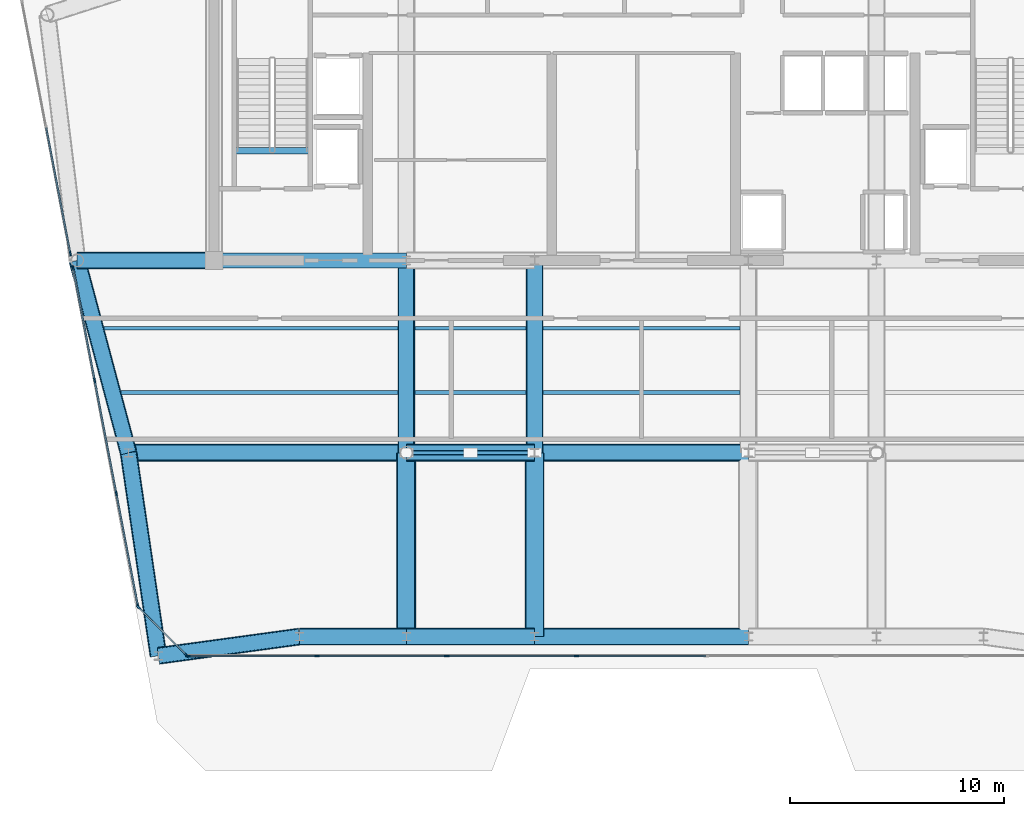
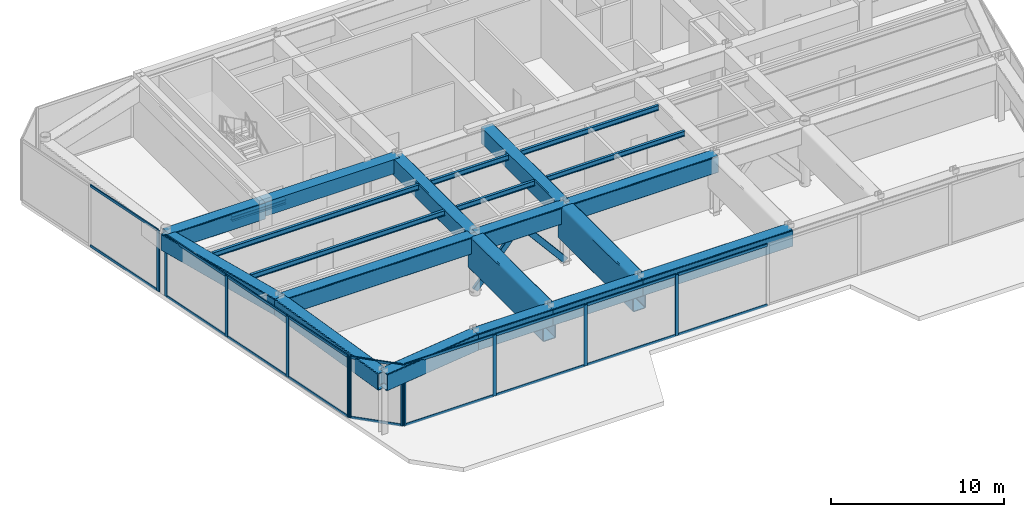
# One storey, part 3 of 14: 31 members, 22 beams, 4 elements without a shape of their own.
"""IFC4 building model written with IfcOpenShell, lengths in metres."""

from ifc_helpers import new_model, si_unit, direction, frame, origin, origin_2d, place, context, subcontext, project, spatial, rectangle, hollow_rectangle, i_section, extrude, source, transform, mapped, material, layer, layer_set, material_profile, profile_set, type_object, element, aggregate, save


model = new_model("IFC4")

# Units and contexts
model_context = context("Model", 3, precision=1e-05, world=origin(), true_north=direction((0.0, 1.0)))
body_context = subcontext(model_context, "Body", "Model", "MODEL_VIEW")
ifc_project = project(units=[si_unit("LENGTHUNIT", "METRE"), si_unit("AREAUNIT", "SQUARE_METRE"), si_unit("VOLUMEUNIT", "CUBIC_METRE"), si_unit("PLANEANGLEUNIT", "RADIAN"), si_unit("MASSUNIT", "GRAM", prefix="KILO")], contexts=[model_context])

# Site, building, storey
site_placement = place(None, origin())
site = spatial("IfcSite", under=ifc_project, at=site_placement, CompositionType="ELEMENT")
building_placement = place(site_placement, origin())
building = spatial("IfcBuilding", under=site, at=building_placement, Name="Vaeldorn Concourse Tower", CompositionType="ELEMENT")
storey_placement = place(building_placement, frame((0.0, 0.0, 303.800048828125)))
storey = spatial("IfcBuildingStorey", under=building, at=storey_placement, Name="L78", CompositionType="ELEMENT", Elevation=303.800048828125)

# Beams
ifc_material_1 = material(Name="Concrete C50/60", Category="concrete")
ifc_material_profile_1 = material_profile(ifc_material_1, rectangle(XDim=0.699951171875, YDim=1.0, at=origin_2d()), Name="RC 700x1000")
ifc_profile_set_1 = profile_set([ifc_material_profile_1], Name="Concrete C50/60")
beam_type_1 = type_object("IfcBeamType", Name="BM-CB-RC700", PredefinedType="BEAM", material=ifc_profile_set_1)
shared_shape_1 = source(origin(), body_context, "Body", "SweptSolid", [
    extrude(rectangle(XDim=0.699951171875, YDim=1.0, at=origin_2d()), origin(), (0.0, 0.0, 1.0), 9.0),
])
beam_1_placement = place(storey_placement, frame((14.0, 36.5, 3.800048828125), z_axis=(1.0, 0.0, 0.0), x_axis=(0.0, 1.0, 0.0)))
element("IfcBeam", 1, at=beam_1_placement, inside=storey, type_object=beam_type_1, Name="Core Coupling Beam L78-1", PredefinedType="BEAM", context=body_context, shape_type="MappedRepresentation", body=[
    mapped(shared_shape_1, transform((0.0, 0.0, 0.0), scale=1.0)),
])
ifc_material_2 = material(Name="Steel S355", Category="steel")
ifc_material_profile_2 = material_profile(ifc_material_2, i_section(OverallWidth=0.300048828125, OverallDepth=0.340087890625, WebThickness=0.011962890625, FlangeThickness=0.021484375, FilletRadius=0.027099609375, at=origin_2d()), Name="HEB 340")
ifc_profile_set_2 = profile_set([ifc_material_profile_2], Name="Steel S355")
beam_type_2 = type_object("IfcBeamType", Name="BM-ST-TRIM", PredefinedType="BEAM", material=ifc_profile_set_2)
shared_shape_2 = source(origin(), body_context, "Body", "SweptSolid", [
    extrude(i_section(OverallWidth=0.300048828125, OverallDepth=0.340087890625, WebThickness=0.011962890625, FlangeThickness=0.021484375, FilletRadius=0.027099609375, at=origin_2d()), origin(), (0.0, 0.0, 1.0), 3.590087890625),
])
beam_2_placement = place(storey_placement, frame((14.929931640625, 41.639892578125, -0.469970703125), z_axis=(1.0, 0.0, 0.0), x_axis=(0.0, 1.0, 0.0)))
element("IfcBeam", 2, at=beam_2_placement, inside=storey, type_object=beam_type_2, Name="Stair Landing Trimmer Beam ST-1 L78", PredefinedType="BEAM", context=body_context, shape_type="MappedRepresentation", body=[
    mapped(shared_shape_2, transform((0.0, 0.0, 0.0), scale=1.0)),
])
ifc_material_3 = material(Name="Steel S460", Category="steel")
ifc_material_profile_3 = material_profile(ifc_material_3, hollow_rectangle(XDim=0.800048828125, YDim=1.199951171875, WallThickness=0.044921875, InnerFilletRadius=0.044921875, OuterFilletRadius=0.090087890625, at=origin_2d()), Name="RHS 1200x800x45")
ifc_profile_set_3 = profile_set([ifc_material_profile_3], Name="Steel S460")
beam_type_3 = type_object("IfcBeamType", Name="BM-TG-RHS1200", PredefinedType="BEAM", material=ifc_profile_set_3)
shared_shape_3 = source(origin(), body_context, "Body", "SweptSolid", [
    extrude(hollow_rectangle(XDim=0.800048828125, YDim=1.199951171875, WallThickness=0.044921875, InnerFilletRadius=0.044921875, OuterFilletRadius=0.090087890625, at=origin_2d()), origin(), (0.0, 0.0, 1.0), 6.0),
])
for number, where, z_axis, x_axis, name in (
    (3, (23.0, 27.5, 3.699951171875), (1.0, 0.0, 0.0), (0.0, 1.0, 0.0), "Beam BM-L78-C-TW1-C-TW2"),
    (4, (23.0, 18.89990234375, 3.699951171875), (1.0, 0.0, 0.0), (0.0, 1.0, 0.0), "Beam BM-L78-C-SF2-C-SF3"),
):
    element("IfcBeam", number, at=place(storey_placement, frame(where, z_axis=z_axis, x_axis=x_axis)), inside=storey, type_object=beam_type_3, Name=name, PredefinedType="BEAM", context=body_context, shape_type="MappedRepresentation", body=[
        mapped(shared_shape_3, transform((0.0, 0.0, 0.0), scale=1.0)),
    ])
shared_shape_4 = source(origin(), body_context, "Body", "SweptSolid", [
    extrude(hollow_rectangle(XDim=0.800048828125, YDim=1.199951171875, WallThickness=0.044921875, InnerFilletRadius=0.044921875, OuterFilletRadius=0.090087890625, at=origin_2d()), origin(), (0.0, 0.0, 1.0), 10.0),
])
for number, where, z_axis, x_axis, name in (
    (5, (29.0, 27.5, 3.699951171875), (1.0, 0.0, 0.0), (0.0, 1.0, 0.0), "Beam BM-L78-C-TW2-C-TW3"),
    (6, (29.0, 18.89990234375, 3.699951171875), (1.0, 0.0, 0.0), (0.0, 1.0, 0.0), "Beam BM-L78-C-SF3-C-SF4"),
):
    element("IfcBeam", number, at=place(storey_placement, frame(where, z_axis=z_axis, x_axis=x_axis)), inside=storey, type_object=beam_type_3, Name=name, PredefinedType="BEAM", context=body_context, shape_type="MappedRepresentation", body=[
        mapped(shared_shape_4, transform((0.0, 0.0, 0.0), scale=1.0)),
    ])
shared_shape_5 = source(origin(), body_context, "Body", "SweptSolid", [
    extrude(hollow_rectangle(XDim=0.800048828125, YDim=1.199951171875, WallThickness=0.044921875, InnerFilletRadius=0.044921875, OuterFilletRadius=0.090087890625, at=origin_2d()), origin(), (0.0, 0.0, 1.0), 9.0),
])
for number, where, z_axis, x_axis, name in (
    (7, (23.0, 27.5, 3.699951171875), (0.0, 1.0, 0.0), (-1.0, 0.0, 0.0), "Beam BM-L78-C-TW1-C-FC2"),
    (8, (29.0, 27.5, 3.699951171875), (0.0, 1.0, 0.0), (-1.0, 0.0, 0.0), "Beam BM-L78-C-TW2-C-FC3"),
):
    element("IfcBeam", number, at=place(storey_placement, frame(where, z_axis=z_axis, x_axis=x_axis)), inside=storey, type_object=beam_type_3, Name=name, PredefinedType="BEAM", context=body_context, shape_type="MappedRepresentation", body=[
        mapped(shared_shape_5, transform((0.0, 0.0, 0.0), scale=1.0)),
    ])
shared_shape_6 = source(origin(), body_context, "Body", "SweptSolid", [
    extrude(hollow_rectangle(XDim=0.800048828125, YDim=1.199951171875, WallThickness=0.044921875, InnerFilletRadius=0.044921875, OuterFilletRadius=0.090087890625, at=origin_2d()), origin(), (0.0, 0.0, 1.0), 13.0),
])
beam_3_placement = place(storey_placement, frame((10.0, 27.5, 3.699951171875), z_axis=(1.0, 0.0, 0.0), x_axis=(0.0, 1.0, 0.0)))
element("IfcBeam", 9, at=beam_3_placement, inside=storey, type_object=beam_type_3, Name="Beam BM-L78-C-FLW1-C-TW1", PredefinedType="BEAM", context=body_context, shape_type="MappedRepresentation", body=[
    mapped(shared_shape_6, transform((0.0, 0.0, 0.0), scale=1.0)),
])
shared_shape_7 = source(origin(), body_context, "Body", "SweptSolid", [
    extrude(hollow_rectangle(XDim=0.800048828125, YDim=1.199951171875, WallThickness=0.044921875, InnerFilletRadius=0.044921875, OuterFilletRadius=0.090087890625, at=origin_2d()), origin(), (0.0, 0.0, 1.0), 5.0),
])
beam_4_placement = place(storey_placement, frame((18.0, 18.89990234375, 3.699951171875), z_axis=(1.0, 0.0, 0.0), x_axis=(0.0, 1.0, 0.0)))
element("IfcBeam", 10, at=beam_4_placement, inside=storey, type_object=beam_type_3, Name="Beam BM-L78-C-SF1-C-SF2", PredefinedType="BEAM", context=body_context, shape_type="MappedRepresentation", body=[
    mapped(shared_shape_7, transform((0.0, 0.0, 0.0), scale=1.0)),
])
shared_shape_8 = source(origin(), body_context, "Body", "SweptSolid", [
    extrude(hollow_rectangle(XDim=0.800048828125, YDim=1.199951171875, WallThickness=0.044921875, InnerFilletRadius=0.044921875, OuterFilletRadius=0.090087890625, at=origin_2d()), origin(), (0.0, 0.0, 1.0), 6.39990234375),
])
beam_5_placement = place(storey_placement, frame((7.60009765625, 36.5, 3.699951171875), z_axis=(1.0, 0.0, 0.0), x_axis=(0.0, 1.0, 0.0)))
element("IfcBeam", 11, at=beam_5_placement, inside=storey, type_object=beam_type_3, Name="Beam BM-L78-C-NW2-C-FC1", PredefinedType="BEAM", context=body_context, shape_type="MappedRepresentation", body=[
    mapped(shared_shape_8, transform((0.0, 0.0, 0.0), scale=1.0)),
])
shared_shape_9 = source(origin(), body_context, "Body", "SweptSolid", [
    extrude(hollow_rectangle(XDim=0.800048828125, YDim=1.199951171875, WallThickness=0.044921875, InnerFilletRadius=0.044921875, OuterFilletRadius=0.090087890625, at=origin_2d()), origin(), (0.0, 0.0, 1.0), 9.314453125),
])
beam_6_placement = place(storey_placement, frame((7.60009765625, 36.5, 3.699951171875), z_axis=(0.257652862255, -0.966237549763, 0.0), x_axis=(0.966237549763, 0.257652862255, 0.0)))
element("IfcBeam", 12, at=beam_6_placement, inside=storey, type_object=beam_type_3, Name="Beam BM-L78-C-NW2-C-FLW1", PredefinedType="BEAM", context=body_context, shape_type="MappedRepresentation", body=[
    mapped(shared_shape_9, transform((0.0, 0.0, 0.0), scale=1.0)),
])
shared_shape_10 = source(origin(), body_context, "Body", "SweptSolid", [
    extrude(hollow_rectangle(XDim=0.800048828125, YDim=1.199951171875, WallThickness=0.044921875, InnerFilletRadius=0.044921875, OuterFilletRadius=0.090087890625, at=origin_2d()), origin(), (0.0, 0.0, 1.0), 9.6025390625),
])
beam_7_placement = place(storey_placement, frame((10.0, 27.5, 3.699951171875), z_axis=(0.145783835977, -0.989316467652, 0.0), x_axis=(0.989316467652, 0.145783835977, 0.0)))
element("IfcBeam", 13, at=beam_7_placement, inside=storey, type_object=beam_type_3, Name="Beam BM-L78-C-FLW1-C-FLW2", PredefinedType="BEAM", context=body_context, shape_type="MappedRepresentation", body=[
    mapped(shared_shape_10, transform((0.0, 0.0, 0.0), scale=1.0)),
])
ifc_material_profile_4 = material_profile(ifc_material_2, i_section(OverallWidth=0.169921875, OverallDepth=0.360107421875, WebThickness=0.008056640625, FlangeThickness=0.0126953125, FilletRadius=0.01806640625, at=origin_2d()), Name="IPE 360")
ifc_profile_set_4 = profile_set([ifc_material_profile_4], Name="Steel S355")
beam_type_4 = type_object("IfcBeamType", Name="BM-JS-IPE360", PredefinedType="JOIST", material=ifc_profile_set_4)
shared_shape_11 = source(origin(), body_context, "Body", "SweptSolid", [
    extrude(i_section(OverallWidth=0.169921875, OverallDepth=0.360107421875, WebThickness=0.008056640625, FlangeThickness=0.0126953125, FilletRadius=0.01806640625, at=origin_2d()), origin(), (0.0, 0.0, 1.0), 5.2001953125),
])
for number, where, z_axis, x_axis, name in (
    (14, (23.39990234375, 30.320068359375, 4.119873046875), (1.0, 0.0, 0.0), (0.0, 1.0, 0.0), "Beam JS-L78-W2-303"),
    (15, (23.39990234375, 33.320068359375, 4.119873046875), (1.0, 0.0, 0.0), (0.0, 1.0, 0.0), "Beam JS-L78-W2-333"),
):
    element("IfcBeam", number, at=place(storey_placement, frame(where, z_axis=z_axis, x_axis=x_axis)), inside=storey, type_object=beam_type_4, Name=name, PredefinedType="JOIST", context=body_context, shape_type="MappedRepresentation", body=[
        mapped(shared_shape_11, transform((0.0, 0.0, 0.0), scale=1.0)),
    ])
shared_shape_12 = source(origin(), body_context, "Body", "SweptSolid", [
    extrude(i_section(OverallWidth=0.169921875, OverallDepth=0.360107421875, WebThickness=0.008056640625, FlangeThickness=0.0126953125, FilletRadius=0.01806640625, at=origin_2d()), origin(), (0.0, 0.0, 1.0), 9.2001953125),
])
for number, where, z_axis, x_axis, name in (
    (16, (29.39990234375, 30.320068359375, 4.119873046875), (1.0, 0.0, 0.0), (0.0, 1.0, 0.0), "Beam JS-L78-C-303"),
    (17, (29.39990234375, 33.320068359375, 4.119873046875), (1.0, 0.0, 0.0), (0.0, 1.0, 0.0), "Beam JS-L78-C-333"),
):
    element("IfcBeam", number, at=place(storey_placement, frame(where, z_axis=z_axis, x_axis=x_axis)), inside=storey, type_object=beam_type_4, Name=name, PredefinedType="JOIST", context=body_context, shape_type="MappedRepresentation", body=[
        mapped(shared_shape_12, transform((0.0, 0.0, 0.0), scale=1.0)),
    ])
shared_shape_13 = source(origin(), body_context, "Body", "SweptSolid", [
    extrude(i_section(OverallWidth=0.169921875, OverallDepth=0.360107421875, WebThickness=0.008056640625, FlangeThickness=0.0126953125, FilletRadius=0.01806640625, at=origin_2d()), origin(), (0.0, 0.0, 1.0), 12.9521484375),
])
beam_8_placement = place(storey_placement, frame((9.64794921875, 30.320068359375, 4.119873046875), z_axis=(1.0, 0.0, 0.0), x_axis=(0.0, 1.0, 0.0)))
element("IfcBeam", 18, at=beam_8_placement, inside=storey, type_object=beam_type_4, Name="Beam JS-L78-W1-303", PredefinedType="JOIST", context=body_context, shape_type="MappedRepresentation", body=[
    mapped(shared_shape_13, transform((0.0, 0.0, 0.0), scale=1.0)),
])
shared_shape_14 = source(origin(), body_context, "Body", "SweptSolid", [
    extrude(i_section(OverallWidth=0.169921875, OverallDepth=0.360107421875, WebThickness=0.008056640625, FlangeThickness=0.0126953125, FilletRadius=0.01806640625, at=origin_2d()), origin(), (0.0, 0.0, 1.0), 13.752197265625),
])
beam_9_placement = place(storey_placement, frame((8.847900390625, 33.320068359375, 4.119873046875), z_axis=(1.0, 0.0, 0.0), x_axis=(0.0, 1.0, 0.0)))
element("IfcBeam", 19, at=beam_9_placement, inside=storey, type_object=beam_type_4, Name="Beam JS-L78-W1-333", PredefinedType="JOIST", context=body_context, shape_type="MappedRepresentation", body=[
    mapped(shared_shape_14, transform((0.0, 0.0, 0.0), scale=1.0)),
])
ifc_material_profile_5 = material_profile(ifc_material_3, hollow_rectangle(XDim=0.89990234375, YDim=2.39990234375, WallThickness=0.06005859375, InnerFilletRadius=0.06005859375, OuterFilletRadius=0.1201171875, at=origin_2d()), Name="RHS 2400x900x60")
ifc_profile_set_5 = profile_set([ifc_material_profile_5], Name="Steel S460")
beam_type_5 = type_object("IfcBeamType", Name="BM-TG-BOX2400", PredefinedType="BEAM", material=ifc_profile_set_5)
shared_shape_15 = source(origin(), body_context, "Body", "SweptSolid", [
    extrude(hollow_rectangle(XDim=0.89990234375, YDim=2.39990234375, WallThickness=0.06005859375, InnerFilletRadius=0.06005859375, OuterFilletRadius=0.1201171875, at=origin_2d()), origin(), (0.0, 0.0, 1.0), 8.60009765625),
])
for number, where, z_axis, x_axis, name in (
    (20, (23.0, 18.89990234375, 3.099853515625), (0.0, 1.0, 0.0), (-1.0, 0.0, 0.0), "Beam BM-SETBACK-L78-C-SF2"),
    (21, (29.0, 18.89990234375, 3.099853515625), (0.0, 1.0, 0.0), (-1.0, 0.0, 0.0), "Beam BM-SETBACK-L78-C-SF3"),
):
    element("IfcBeam", number, at=place(storey_placement, frame(where, z_axis=z_axis, x_axis=x_axis)), inside=storey, type_object=beam_type_5, Name=name, PredefinedType="BEAM", context=body_context, shape_type="MappedRepresentation", body=[
        mapped(shared_shape_15, transform((0.0, 0.0, 0.0), scale=1.0)),
    ])
shared_shape_16 = source(origin(), body_context, "Body", "SweptSolid", [
    extrude(hollow_rectangle(XDim=0.800048828125, YDim=1.199951171875, WallThickness=0.044921875, InnerFilletRadius=0.044921875, OuterFilletRadius=0.090087890625, at=origin_2d()), origin(), (0.0, 0.0, 1.0), 6.6611328125),
])
beam_10_placement = place(storey_placement, frame((18.0, 18.89990234375, 3.699951171875), z_axis=(-0.990832398214, -0.135096849146, 0.0), x_axis=(0.135096849146, -0.990832398214, 0.0)))
element("IfcBeam", 22, at=beam_10_placement, inside=storey, type_object=beam_type_3, Name="Beam BM-L78-C-SF1-C-FLW2", PredefinedType="BEAM", context=body_context, shape_type="MappedRepresentation", body=[
    mapped(shared_shape_16, transform((0.0, 0.0, 0.0), scale=1.0)),
])

# Members
ifc_material_profile_6 = material_profile(ifc_material_2, hollow_rectangle(XDim=0.199951171875, YDim=0.39990234375, WallThickness=0.01611328125, InnerFilletRadius=0.01611328125, OuterFilletRadius=0.031982421875, at=origin_2d()), Name="RHS 400x200x16")
ifc_profile_set_6 = profile_set([ifc_material_profile_6], Name="Steel S355")
member_type_1 = type_object("IfcMemberType", Name="MB-CRN-STRUT", PredefinedType="STRUT", material=ifc_profile_set_6)
shared_shape_17 = source(origin(), body_context, "Body", "SweptSolid", [
    extrude(hollow_rectangle(XDim=0.199951171875, YDim=0.39990234375, WallThickness=0.01611328125, InnerFilletRadius=0.01611328125, OuterFilletRadius=0.031982421875, at=origin_2d()), origin(), (0.0, 0.0, 1.0), 4.64794921875),
])
for number, where, z_axis, x_axis, name in (
    (23, (23.0, 27.5, 0.25), (0.645454693262, 0.0, 0.763798559141), (0.0, 1.0, 0.0), "Crown Frame Brace Strut L78-1A"),
    (24, (29.0, 27.5, 0.25), (-0.645454693262, 0.0, 0.763798559141), (0.0, -1.0, 0.0), "Crown Frame Brace Strut L78-1B"),
):
    element("IfcMember", number, at=place(storey_placement, frame(where, z_axis=z_axis, x_axis=x_axis)), inside=storey, type_object=member_type_1, Name=name, PredefinedType="STRUT", context=body_context, shape_type="MappedRepresentation", body=[
        mapped(shared_shape_17, transform((0.0, 0.0, 0.0), scale=1.0)),
    ])

# Curtain wall, members
ifc_material_4 = material(Name="Anodised Bronze Aluminium", Category="aluminium")
ifc_layer = layer(ifc_material_4, 0.22998046875)
ifc_layer_set = layer_set([ifc_layer], Name="Anodised Bronze Aluminium")
curtain_wall_type = type_object("IfcCurtainWallType", Name="CW-SYS-07", PredefinedType="NOTDEFINED", material=ifc_layer_set)
curtain_wall_1_placement = place(storey_placement, origin())
curtain_wall_1 = element("IfcCurtainWall", 25, at=curtain_wall_1_placement, inside=storey, type_object=curtain_wall_type, Name="Unitised Curtain Wall CW-L78-E08-1", PredefinedType="NOTDEFINED")
ifc_material_profile_7 = material_profile(ifc_material_4, rectangle(XDim=0.074951171875, YDim=0.179931640625, at=origin_2d()), Name="CWT 75x180")
ifc_profile_set_7 = profile_set([ifc_material_profile_7], Name="Anodised Bronze Aluminium")
member_type_2 = type_object("IfcMemberType", Name="CWT-BRONZE-180", PredefinedType="USERDEFINED", material=ifc_profile_set_7)
shared_shape_18 = source(origin(), body_context, "Body", "SweptSolid", [
    extrude(rectangle(XDim=0.074951171875, YDim=0.179931640625, at=origin_2d()), origin(), (0.0, 0.0, 1.0), 3.102783203125),
])
member_1_placement = place(storey_placement, frame((10.498046875, 20.2470703125, 0.037353515625), z_axis=(0.707067437368, -0.707146122816, 0.0), x_axis=(0.707146122816, 0.707067437368, 0.0)))
member_1 = element("IfcMember", 26, at=member_1_placement, type_object=member_type_2, Name="CW-07 transom 1.1", ObjectType="TRANSOM", PredefinedType="USERDEFINED", context=body_context, shape_type="MappedRepresentation", body=[
    mapped(shared_shape_18, transform((0.0, 0.0, 0.0), scale=1.0)),
])
member_2_placement = place(storey_placement, frame((10.498046875, 20.2470703125, 4.262451171875), z_axis=(0.707067437368, -0.707146122816, 0.0), x_axis=(0.707146122816, 0.707067437368, 0.0)))
member_2 = element("IfcMember", 27, at=member_2_placement, type_object=member_type_2, Name="CW-07 transom 1.2", ObjectType="TRANSOM", PredefinedType="USERDEFINED", context=body_context, shape_type="MappedRepresentation", body=[
    mapped(shared_shape_18, transform((0.0, 0.0, 0.0), scale=1.0)),
])

curtain_wall_2_placement = place(storey_placement, origin())
curtain_wall_2 = element("IfcCurtainWall", 28, at=curtain_wall_2_placement, inside=storey, type_object=curtain_wall_type, Name="Unitised Curtain Wall CW-L78-E01-1", PredefinedType="NOTDEFINED")
ifc_material_profile_8 = material_profile(ifc_material_4, rectangle(XDim=0.074951171875, YDim=0.219970703125, at=origin_2d()), Name="CWM 75x220")
ifc_profile_set_8 = profile_set([ifc_material_profile_8], Name="Anodised Bronze Aluminium")
member_type_3 = type_object("IfcMemberType", Name="CWM-BRONZE-220", PredefinedType="MULLION", material=ifc_profile_set_8)
shared_shape_19 = source(origin(), body_context, "Body", "SweptSolid", [
    extrude(rectangle(XDim=0.074951171875, YDim=0.219970703125, at=origin_2d()), origin(), (0.0, 0.0, 1.0), 4.300048828125),
])
member_3_placement = place(storey_placement, frame((12.782470703125, 18.0, 0.0), z_axis=(0.0, 0.0, 1.0), x_axis=(0.0, 1.0, 0.0)))
member_3 = element("IfcMember", 29, at=member_3_placement, type_object=member_type_3, Name="CW-07 mullion 1", PredefinedType="MULLION", context=body_context, shape_type="MappedRepresentation", body=[
    mapped(shared_shape_19, transform((0.0, 0.0, 0.0), scale=1.0)),
])
member_4_placement = place(storey_placement, frame((18.81787109375, 18.0, 0.0), z_axis=(0.0, 0.0, 1.0), x_axis=(0.0, 1.0, 0.0)))
member_4 = element("IfcMember", 30, at=member_4_placement, type_object=member_type_3, Name="CW-07 mullion 2", PredefinedType="MULLION", context=body_context, shape_type="MappedRepresentation", body=[
    mapped(shared_shape_19, transform((0.0, 0.0, 0.0), scale=1.0)),
])
member_5_placement = place(storey_placement, frame((24.890625, 18.0, 0.0), z_axis=(0.0, 0.0, 1.0), x_axis=(0.0, 1.0, 0.0)))
member_5 = element("IfcMember", 31, at=member_5_placement, type_object=member_type_3, Name="CW-07 mullion 3", PredefinedType="MULLION", context=body_context, shape_type="MappedRepresentation", body=[
    mapped(shared_shape_19, transform((0.0, 0.0, 0.0), scale=1.0)),
])
member_6_placement = place(storey_placement, frame((30.963623046875, 18.0, 0.0), z_axis=(0.0, 0.0, 1.0), x_axis=(0.0, 1.0, 0.0)))
member_6 = element("IfcMember", 32, at=member_6_placement, type_object=member_type_3, Name="CW-07 mullion 4", PredefinedType="MULLION", context=body_context, shape_type="MappedRepresentation", body=[
    mapped(shared_shape_19, transform((0.0, 0.0, 0.0), scale=1.0)),
])

# Curtain wall, member
curtain_wall_3_placement = place(storey_placement, origin())
curtain_wall_3 = element("IfcCurtainWall", 33, at=curtain_wall_3_placement, inside=storey, type_object=curtain_wall_type, Name="Unitised Curtain Wall CW-L78-E07-1", PredefinedType="NOTDEFINED")
member_7_placement = place(storey_placement, frame((7.27783203125, 36.81884765625, 0.0), z_axis=(0.0, 0.0, 1.0), x_axis=(0.982112384192, 0.188295684539, 0.0)))
member_7 = element("IfcMember", 34, at=member_7_placement, type_object=member_type_3, Name="CW-07 mullion 3", PredefinedType="MULLION", context=body_context, shape_type="MappedRepresentation", body=[
    mapped(shared_shape_19, transform((0.0, 0.0, 0.0), scale=1.0)),
])

# Curtain wall, members
curtain_wall_4_placement = place(storey_placement, origin())
curtain_wall_4 = element("IfcCurtainWall", 35, at=curtain_wall_4_placement, inside=storey, type_object=curtain_wall_type, Name="Unitised Curtain Wall CW-L78-E07-2", PredefinedType="NOTDEFINED")
member_8_placement = place(storey_placement, frame((7.406494140625, 36.148193359375, 0.0), z_axis=(0.0, 0.0, 1.0), x_axis=(0.982111865805, 0.188298388323, 0.0)))
member_8 = element("IfcMember", 36, at=member_8_placement, type_object=member_type_3, Name="CW-07 mullion 1", PredefinedType="MULLION", context=body_context, shape_type="MappedRepresentation", body=[
    mapped(shared_shape_19, transform((0.0, 0.0, 0.0), scale=1.0)),
])
member_9_placement = place(storey_placement, frame((8.41455078125, 30.889892578125, 0.0), z_axis=(0.0, 0.0, 1.0), x_axis=(0.982111865805, 0.188298388323, 0.0)))
member_9 = element("IfcMember", 37, at=member_9_placement, type_object=member_type_3, Name="CW-07 mullion 2", PredefinedType="MULLION", context=body_context, shape_type="MappedRepresentation", body=[
    mapped(shared_shape_19, transform((0.0, 0.0, 0.0), scale=1.0)),
])
member_10_placement = place(storey_placement, frame((9.4296875, 25.594970703125, 0.0), z_axis=(0.0, 0.0, 1.0), x_axis=(0.982111865805, 0.188298388323, 0.0)))
member_10 = element("IfcMember", 38, at=member_10_placement, type_object=member_type_3, Name="CW-07 mullion 3", PredefinedType="MULLION", context=body_context, shape_type="MappedRepresentation", body=[
    mapped(shared_shape_19, transform((0.0, 0.0, 0.0), scale=1.0)),
])
member_11_placement = place(storey_placement, frame((10.43798828125, 20.3369140625, 0.0), z_axis=(0.0, 0.0, 1.0), x_axis=(0.982111865805, 0.188298388323, 0.0)))
member_11 = element("IfcMember", 39, at=member_11_placement, type_object=member_type_3, Name="CW-07 mullion 4", PredefinedType="MULLION", context=body_context, shape_type="MappedRepresentation", body=[
    mapped(shared_shape_19, transform((0.0, 0.0, 0.0), scale=1.0)),
])

# Member
member_12_placement = place(storey_placement, frame((10.471435546875, 20.2734375, 0.0), z_axis=(0.0, 0.0, 1.0), x_axis=(0.707106781187, 0.707106781187, 0.0)))
member_12 = element("IfcMember", 40, at=member_12_placement, type_object=member_type_3, Name="CW-07 mullion 1", PredefinedType="MULLION", context=body_context, shape_type="MappedRepresentation", body=[
    mapped(shared_shape_19, transform((0.0, 0.0, 0.0), scale=1.0)),
])

member_13_placement = place(storey_placement, frame((12.718505859375, 18.026611328125, 0.0), z_axis=(0.0, 0.0, 1.0), x_axis=(0.707106781187, 0.707106781187, 0.0)))
member_13 = element("IfcMember", 41, at=member_13_placement, type_object=member_type_3, Name="CW-07 mullion 2", PredefinedType="MULLION", context=body_context, shape_type="MappedRepresentation", body=[
    mapped(shared_shape_19, transform((0.0, 0.0, 0.0), scale=1.0)),
])

aggregate(curtain_wall_1, [member_12, member_13, member_1, member_2])

shared_shape_20 = source(origin(), body_context, "Body", "SweptSolid", [
    extrude(rectangle(XDim=0.074951171875, YDim=0.179931640625, at=origin_2d()), origin(), (0.0, 0.0, 1.0), 5.960205078125),
])
member_14_placement = place(storey_placement, frame((12.820068359375, 18.0, 0.037353515625), z_axis=(1.0, 0.0, 0.0), x_axis=(0.0, 1.0, 0.0)))
member_14 = element("IfcMember", 42, at=member_14_placement, type_object=member_type_2, Name="CW-07 transom 1.1", ObjectType="TRANSOM", PredefinedType="USERDEFINED", context=body_context, shape_type="MappedRepresentation", body=[
    mapped(shared_shape_20, transform((0.0, 0.0, 0.0), scale=1.0)),
])

member_15_placement = place(storey_placement, frame((12.820068359375, 18.0, 4.262451171875), z_axis=(1.0, 0.0, 0.0), x_axis=(0.0, 1.0, 0.0)))
member_15 = element("IfcMember", 43, at=member_15_placement, type_object=member_type_2, Name="CW-07 transom 1.2", ObjectType="TRANSOM", PredefinedType="USERDEFINED", context=body_context, shape_type="MappedRepresentation", body=[
    mapped(shared_shape_20, transform((0.0, 0.0, 0.0), scale=1.0)),
])

shared_shape_21 = source(origin(), body_context, "Body", "SweptSolid", [
    extrude(rectangle(XDim=0.074951171875, YDim=0.179931640625, at=origin_2d()), origin(), (0.0, 0.0, 1.0), 5.997802734375),
])
member_16_placement = place(storey_placement, frame((18.85546875, 18.0, 0.037353515625), z_axis=(1.0, 0.0, 0.0), x_axis=(0.0, 1.0, 0.0)))
member_16 = element("IfcMember", 44, at=member_16_placement, type_object=member_type_2, Name="CW-07 transom 2.1", ObjectType="TRANSOM", PredefinedType="USERDEFINED", context=body_context, shape_type="MappedRepresentation", body=[
    mapped(shared_shape_21, transform((0.0, 0.0, 0.0), scale=1.0)),
])

member_17_placement = place(storey_placement, frame((18.85546875, 18.0, 4.262451171875), z_axis=(1.0, 0.0, 0.0), x_axis=(0.0, 1.0, 0.0)))
member_17 = element("IfcMember", 45, at=member_17_placement, type_object=member_type_2, Name="CW-07 transom 2.2", ObjectType="TRANSOM", PredefinedType="USERDEFINED", context=body_context, shape_type="MappedRepresentation", body=[
    mapped(shared_shape_21, transform((0.0, 0.0, 0.0), scale=1.0)),
])

member_18_placement = place(storey_placement, frame((24.92822265625, 18.0, 0.037353515625), z_axis=(1.0, 0.0, 0.0), x_axis=(0.0, 1.0, 0.0)))
member_18 = element("IfcMember", 46, at=member_18_placement, type_object=member_type_2, Name="CW-07 transom 3.1", ObjectType="TRANSOM", PredefinedType="USERDEFINED", context=body_context, shape_type="MappedRepresentation", body=[
    mapped(shared_shape_21, transform((0.0, 0.0, 0.0), scale=1.0)),
])

member_19_placement = place(storey_placement, frame((24.92822265625, 18.0, 4.262451171875), z_axis=(1.0, 0.0, 0.0), x_axis=(0.0, 1.0, 0.0)))
member_19 = element("IfcMember", 47, at=member_19_placement, type_object=member_type_2, Name="CW-07 transom 3.2", ObjectType="TRANSOM", PredefinedType="USERDEFINED", context=body_context, shape_type="MappedRepresentation", body=[
    mapped(shared_shape_21, transform((0.0, 0.0, 0.0), scale=1.0)),
])

shared_shape_22 = source(origin(), body_context, "Body", "SweptSolid", [
    extrude(rectangle(XDim=0.074951171875, YDim=0.179931640625, at=origin_2d()), origin(), (0.0, 0.0, 1.0), 5.998046875),
])
member_20_placement = place(storey_placement, frame((31.0009765625, 18.0, 0.037353515625), z_axis=(1.0, 0.0, 0.0), x_axis=(0.0, 1.0, 0.0)))
member_20 = element("IfcMember", 48, at=member_20_placement, type_object=member_type_2, Name="CW-07 transom 4.1", ObjectType="TRANSOM", PredefinedType="USERDEFINED", context=body_context, shape_type="MappedRepresentation", body=[
    mapped(shared_shape_22, transform((0.0, 0.0, 0.0), scale=1.0)),
])

member_21_placement = place(storey_placement, frame((31.0009765625, 18.0, 4.262451171875), z_axis=(1.0, 0.0, 0.0), x_axis=(0.0, 1.0, 0.0)))
member_21 = element("IfcMember", 49, at=member_21_placement, type_object=member_type_2, Name="CW-07 transom 4.2", ObjectType="TRANSOM", PredefinedType="USERDEFINED", context=body_context, shape_type="MappedRepresentation", body=[
    mapped(shared_shape_22, transform((0.0, 0.0, 0.0), scale=1.0)),
])

aggregate(curtain_wall_2, [member_3, member_4, member_5, member_6, member_14, member_15, member_16, member_17, member_18, member_19, member_20, member_21])

shared_shape_23 = source(origin(), body_context, "Body", "SweptSolid", [
    extrude(rectangle(XDim=0.074951171875, YDim=0.179931640625, at=origin_2d()), origin(), (0.0, 0.0, 1.0), 5.27880859375),
])
member_22_placement = place(storey_placement, frame((9.436767578125, 25.55810546875, 0.037353515625), z_axis=(0.188327605618, -0.98210626358, 0.0), x_axis=(0.98210626358, 0.188327605618, 0.0)))
member_22 = element("IfcMember", 50, at=member_22_placement, type_object=member_type_2, Name="CW-07 transom 3.1", ObjectType="TRANSOM", PredefinedType="USERDEFINED", context=body_context, shape_type="MappedRepresentation", body=[
    mapped(shared_shape_23, transform((0.0, 0.0, 0.0), scale=1.0)),
])

member_23_placement = place(storey_placement, frame((9.436767578125, 25.55810546875, 4.262451171875), z_axis=(0.188327605618, -0.98210626358, 0.0), x_axis=(0.98210626358, 0.188327605618, 0.0)))
member_23 = element("IfcMember", 51, at=member_23_placement, type_object=member_type_2, Name="CW-07 transom 3.2", ObjectType="TRANSOM", PredefinedType="USERDEFINED", context=body_context, shape_type="MappedRepresentation", body=[
    mapped(shared_shape_23, transform((0.0, 0.0, 0.0), scale=1.0)),
])

shared_shape_24 = source(origin(), body_context, "Body", "SweptSolid", [
    extrude(rectangle(XDim=0.074951171875, YDim=0.179931640625, at=origin_2d()), origin(), (0.0, 0.0, 1.0), 5.316650390625),
])
member_24_placement = place(storey_placement, frame((8.421630859375, 30.853271484375, 0.037353515625), z_axis=(0.188321079128, -0.98210751507, 0.0), x_axis=(0.98210751507, 0.188321079128, 0.0)))
member_24 = element("IfcMember", 52, at=member_24_placement, type_object=member_type_2, Name="CW-07 transom 2.1", ObjectType="TRANSOM", PredefinedType="USERDEFINED", context=body_context, shape_type="MappedRepresentation", body=[
    mapped(shared_shape_24, transform((0.0, 0.0, 0.0), scale=1.0)),
])

member_25_placement = place(storey_placement, frame((8.421630859375, 30.853271484375, 4.262451171875), z_axis=(0.188321079128, -0.98210751507, 0.0), x_axis=(0.98210751507, 0.188321079128, 0.0)))
member_25 = element("IfcMember", 53, at=member_25_placement, type_object=member_type_2, Name="CW-07 transom 2.2", ObjectType="TRANSOM", PredefinedType="USERDEFINED", context=body_context, shape_type="MappedRepresentation", body=[
    mapped(shared_shape_24, transform((0.0, 0.0, 0.0), scale=1.0)),
])

shared_shape_25 = source(origin(), body_context, "Body", "SweptSolid", [
    extrude(rectangle(XDim=0.074951171875, YDim=0.179931640625, at=origin_2d()), origin(), (0.0, 0.0, 1.0), 5.279052734375),
])
member_26_placement = place(storey_placement, frame((7.41357421875, 36.111328125, 0.037353515625), z_axis=(0.188274444037, -0.982116456294, 0.0), x_axis=(0.982116456294, 0.188274444037, 0.0)))
member_26 = element("IfcMember", 54, at=member_26_placement, type_object=member_type_2, Name="CW-07 transom 1.1", ObjectType="TRANSOM", PredefinedType="USERDEFINED", context=body_context, shape_type="MappedRepresentation", body=[
    mapped(shared_shape_25, transform((0.0, 0.0, 0.0), scale=1.0)),
])

member_27_placement = place(storey_placement, frame((7.41357421875, 36.111328125, 4.262451171875), z_axis=(0.188274444037, -0.982116456294, 0.0), x_axis=(0.982116456294, 0.188274444037, 0.0)))
member_27 = element("IfcMember", 55, at=member_27_placement, type_object=member_type_2, Name="CW-07 transom 1.2", ObjectType="TRANSOM", PredefinedType="USERDEFINED", context=body_context, shape_type="MappedRepresentation", body=[
    mapped(shared_shape_25, transform((0.0, 0.0, 0.0), scale=1.0)),
])

aggregate(curtain_wall_4, [member_8, member_9, member_10, member_11, member_26, member_27, member_24, member_25, member_22, member_23])

shared_shape_26 = source(origin(), body_context, "Body", "SweptSolid", [
    extrude(rectangle(XDim=0.074951171875, YDim=0.179931640625, at=origin_2d()), origin(), (0.0, 0.0, 1.0), 5.955078125),
])
member_28_placement = place(storey_placement, frame((6.149658203125, 42.7041015625, 0.037353515625), z_axis=(0.188296923106, -0.982112146727, 0.0), x_axis=(0.982112146727, 0.188296923106, 0.0)))
member_28 = element("IfcMember", 56, at=member_28_placement, type_object=member_type_2, Name="CW-07 transom 2.1", ObjectType="TRANSOM", PredefinedType="USERDEFINED", context=body_context, shape_type="MappedRepresentation", body=[
    mapped(shared_shape_26, transform((0.0, 0.0, 0.0), scale=1.0)),
])

member_29_placement = place(storey_placement, frame((6.149658203125, 42.7041015625, 4.262451171875), z_axis=(0.188296923106, -0.982112146727, 0.0), x_axis=(0.982112146727, 0.188296923106, 0.0)))
member_29 = element("IfcMember", 57, at=member_29_placement, type_object=member_type_2, Name="CW-07 transom 2.2", ObjectType="TRANSOM", PredefinedType="USERDEFINED", context=body_context, shape_type="MappedRepresentation", body=[
    mapped(shared_shape_26, transform((0.0, 0.0, 0.0), scale=1.0)),
])

aggregate(curtain_wall_3, [member_7, member_28, member_29])

save(model, "model.ifc")
